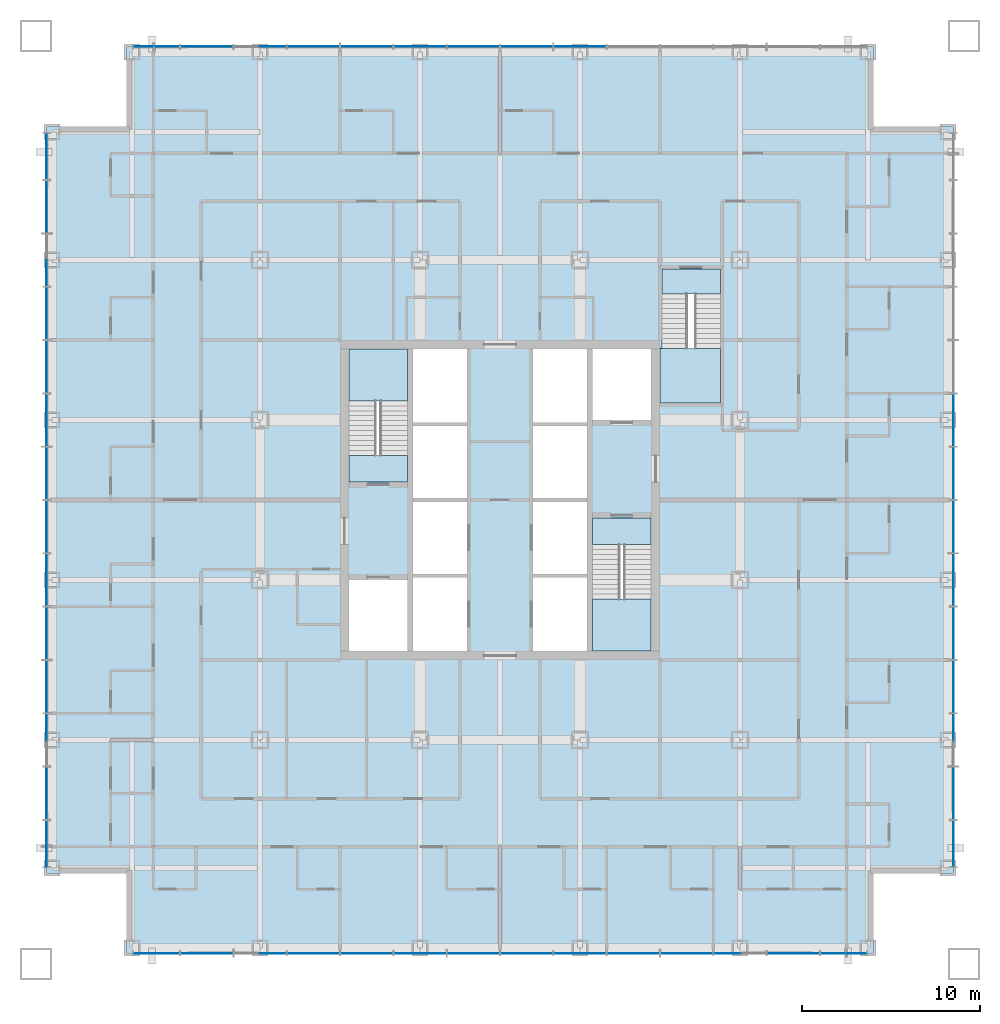
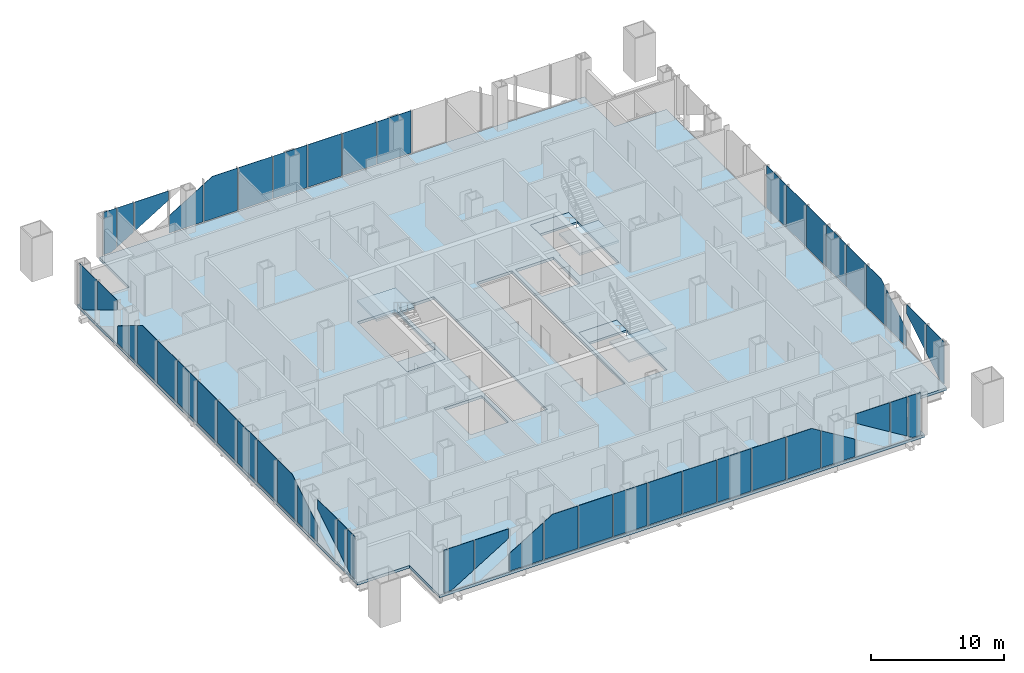
# One storey, part 6 of 13: 49 plates, 7 slabs, 7 elements without a shape of their own.
"""IFC4 building model written with IfcOpenShell, lengths in metres."""

from ifc_helpers import new_model, si_unit, direction, frame, origin, origin_2d, place, context, subcontext, project, spatial, polyline, rectangle, outline, extrude, material, layer, layer_set, type_object, element, aggregate, save


model = new_model("IFC4")

# Units and contexts
model_context = context("Model", 3, precision=1e-05, world=origin(), true_north=direction((0.0, 1.0)))
body_context = subcontext(model_context, "Body", "Model", "MODEL_VIEW")
ifc_project = project(units=[si_unit("LENGTHUNIT", "METRE"), si_unit("AREAUNIT", "SQUARE_METRE"), si_unit("VOLUMEUNIT", "CUBIC_METRE"), si_unit("PLANEANGLEUNIT", "RADIAN"), si_unit("MASSUNIT", "GRAM", prefix="KILO")], contexts=[model_context])

# Site, building, storey
site_placement = place(None, origin())
site = spatial("IfcSite", under=ifc_project, at=site_placement, CompositionType="ELEMENT")
building_placement = place(site_placement, origin())
building = spatial("IfcBuilding", under=site, at=building_placement, Name="Malebo Sky Hospital", CompositionType="ELEMENT")
storey_placement = place(building_placement, frame((0.0, 0.0, 35.0)))
storey = spatial("IfcBuildingStorey", under=building, at=storey_placement, Name="L07", CompositionType="ELEMENT", Elevation=35.0)

# Slab
ifc_material_1 = material(Name="Concrete C40/50", Category="concrete")
ifc_layer_1 = layer(ifc_material_1, 0.25)
ifc_layer_set_1 = layer_set([ifc_layer_1], Name="COMPOSITE FLOOR SLAB 250")
slab_type_1 = type_object("IfcSlabType", Name="COMPOSITE FLOOR SLAB 250", PredefinedType="FLOOR", material=ifc_layer_set_1)
slab_1_placement = place(storey_placement, frame((0.0, 0.0, -0.25)))
element("IfcSlab", 1, at=slab_1_placement, inside=storey, type_object=slab_type_1, Name="Floor slab L07", PredefinedType="FLOOR", context=body_context, shape_type="SweptSolid", body=[
    extrude(outline(polyline([(39.0, 87.5), (39.0, 83.0), (34.5, 83.0), (34.5, 41.0), (39.0, 41.0), (39.0, 36.5), (81.0, 36.5), (81.0, 41.0), (85.5, 41.0), (85.5, 83.0), (81.0, 83.0), (81.0, 87.5), (39.0, 87.5)]), holes=[polyline([(55.10009765625, 70.5), (58.14990234375, 70.5), (58.14990234375, 53.5), (55.10009765625, 53.5), (55.10009765625, 70.5)]), polyline([(64.89990234375, 70.5), (64.89990234375, 53.5), (61.85009765625, 53.5), (61.85009765625, 70.5), (64.89990234375, 70.5)]), polyline([(54.800048828125, 63.0), (51.5, 63.0), (51.5, 70.5), (54.800048828125, 70.5), (54.800048828125, 63.0)]), polyline([(51.5, 53.5), (51.5, 57.5), (54.800048828125, 57.5), (54.800048828125, 53.5), (51.5, 53.5)]), polyline([(65.199951171875, 61.0), (68.5, 61.0), (68.5, 53.5), (65.199951171875, 53.5), (65.199951171875, 61.0)]), polyline([(68.5, 70.5), (68.5, 66.5), (65.199951171875, 66.5), (65.199951171875, 70.5), (68.5, 70.5)]), polyline([(69.0, 67.449951171875), (69.0, 70.52001953125), (69.10009765625, 70.52001953125), (69.10009765625, 75.0), (72.39990234375, 75.0), (72.39990234375, 67.449951171875), (69.10009765625, 67.449951171875), (69.0, 67.449951171875)])]), origin(), (0.0, 0.0, 1.0), 0.25),
])

# Stair, slabs
stair_type_1 = type_object("IfcStairType", Name="HALF-TURN STAIR 1500 R167", PredefinedType="HALF_TURN_STAIR", material=ifc_material_1)
stair_1_placement = place(storey_placement, origin())
stair_1 = element("IfcStair", 2, at=stair_1_placement, inside=storey, type_object=stair_type_1, Name="Stair S1 L07 type ST1", PredefinedType="HALF_TURN_STAIR")
ifc_layer_2 = layer(ifc_material_1, 0.199951171875)
ifc_layer_set_2 = layer_set([ifc_layer_2], Name="STAIR LANDING 200")
slab_type_2 = type_object("IfcSlabType", Name="STAIR LANDING 200", PredefinedType="LANDING", material=ifc_layer_set_2)
slab_2_placement = place(storey_placement, frame((0.0, 0.0, -0.199951171875)))
slab_2 = element("IfcSlab", 3, at=slab_2_placement, type_object=slab_type_2, Name="S1 landing 1", PredefinedType="LANDING", context=body_context, shape_type="SweptSolid", body=[
    extrude(outline(polyline([(51.5, 63.0), (54.800048828125, 63.0), (54.800048828125, 64.5), (51.5, 64.5), (51.5, 63.0)])), origin(), (0.0, 0.0, 1.0), 0.199951171875),
])
slab_3_placement = place(storey_placement, frame((0.0, 0.0, 1.800048828125)))
slab_3 = element("IfcSlab", 4, at=slab_3_placement, type_object=slab_type_2, Name="S1 landing 2", PredefinedType="LANDING", context=body_context, shape_type="SweptSolid", body=[
    extrude(outline(polyline([(51.5, 67.580078125), (54.800048828125, 67.580078125), (54.800048828125, 70.5), (51.5, 70.5), (51.5, 67.580078125)])), origin(), (0.0, 0.0, 1.0), 0.199951171875),
])
aggregate(stair_1, [slab_2, slab_3])

stair_2_placement = place(storey_placement, origin())
stair_2 = element("IfcStair", 5, at=stair_2_placement, inside=storey, type_object=stair_type_1, Name="Stair S2 L07 type ST1", PredefinedType="HALF_TURN_STAIR")
slab_4_placement = place(storey_placement, frame((0.0, 0.0, -0.199951171875)))
slab_4 = element("IfcSlab", 6, at=slab_4_placement, type_object=slab_type_2, Name="S2 landing 1", PredefinedType="LANDING", context=body_context, shape_type="SweptSolid", body=[
    extrude(outline(polyline([(65.199951171875, 59.5), (68.5, 59.5), (68.5, 61.0), (65.199951171875, 61.0), (65.199951171875, 59.5)])), origin(), (0.0, 0.0, 1.0), 0.199951171875),
])
slab_5_placement = place(storey_placement, frame((0.0, 0.0, 1.800048828125)))
slab_5 = element("IfcSlab", 7, at=slab_5_placement, type_object=slab_type_2, Name="S2 landing 2", PredefinedType="LANDING", context=body_context, shape_type="SweptSolid", body=[
    extrude(outline(polyline([(65.199951171875, 53.5), (68.5, 53.5), (68.5, 56.419921875), (65.199951171875, 56.419921875), (65.199951171875, 53.5)])), origin(), (0.0, 0.0, 1.0), 0.199951171875),
])
aggregate(stair_2, [slab_4, slab_5])

stair_type_2 = type_object("IfcStairType", Name="HALF-TURN STAIR 1400 R167", PredefinedType="HALF_TURN_STAIR", material=ifc_material_1)
stair_3_placement = place(storey_placement, origin())
stair_3 = element("IfcStair", 8, at=stair_3_placement, inside=storey, type_object=stair_type_2, Name="Stair S3 L07 type ST1B", PredefinedType="HALF_TURN_STAIR")
slab_6_placement = place(storey_placement, frame((0.0, 0.0, -0.199951171875)))
slab_6 = element("IfcSlab", 9, at=slab_6_placement, type_object=slab_type_2, Name="S3 landing 1", PredefinedType="LANDING", context=body_context, shape_type="SweptSolid", body=[
    extrude(outline(polyline([(69.10009765625, 73.60009765625), (72.39990234375, 73.60009765625), (72.39990234375, 75.0), (69.10009765625, 75.0), (69.10009765625, 73.60009765625)])), origin(), (0.0, 0.0, 1.0), 0.199951171875),
])
slab_7_placement = place(storey_placement, frame((0.0, 0.0, 1.800048828125)))
slab_7 = element("IfcSlab", 10, at=slab_7_placement, type_object=slab_type_2, Name="S3 landing 2", PredefinedType="LANDING", context=body_context, shape_type="SweptSolid", body=[
    extrude(outline(polyline([(69.0, 67.449951171875), (72.39990234375, 67.449951171875), (72.39990234375, 70.52001953125), (69.0, 70.52001953125), (69.0, 67.449951171875)])), origin(), (0.0, 0.0, 1.0), 0.199951171875),
])
aggregate(stair_3, [slab_6, slab_7])

# Curtain wall, plates
ifc_material_2 = material(Name="Anodised aluminium, natural silver", Category="aluminium")
ifc_layer_3 = layer(ifc_material_2, 0.25)
ifc_layer_set_3 = layer_set([ifc_layer_3], Name="WARD CURTAIN WALL NORTH AND SOUTH")
curtain_wall_type_1 = type_object("IfcCurtainWallType", Name="WARD CURTAIN WALL NORTH AND SOUTH", PredefinedType="NOTDEFINED", material=ifc_layer_set_3)
curtain_wall_1_placement = place(storey_placement, origin())
curtain_wall_1 = element("IfcCurtainWall", 11, at=curtain_wall_1_placement, inside=storey, type_object=curtain_wall_type_1, Name="NS curtain wall N", PredefinedType="NOTDEFINED")
ifc_material_3 = material(Name="Clear low-iron double glazing", Category="glass")
ifc_layer_4 = layer(ifc_material_3, 0.031982421875)
ifc_layer_set_4 = layer_set([ifc_layer_4], Name="VISION PANEL CLEAR 32")
plate_type = type_object("IfcPlateType", Name="VISION PANEL CLEAR 32", PredefinedType="CURTAIN_PANEL", material=ifc_layer_set_4)
plate_1_placement = place(storey_placement, frame((39.918701171875, 87.5, 0.10009765625), z_axis=(0.0, 0.0, 1.0), x_axis=(1.0, 0.0, 0.0)))
plate_1 = element("IfcPlate", 12, at=plate_1_placement, type_object=plate_type, Name="Panel 1", PredefinedType="CURTAIN_PANEL", context=body_context, shape_type="SweptSolid", body=[
    extrude(outline(polyline([(-0.543701171875, 0.0), (0.124755859375, 0.0), (0.543701171875, 0.2568359375), (0.543701171875, 3.889892578125), (-0.543701171875, 3.889892578125), (-0.543701171875, 0.0)])), frame((0.0, 0.01611328125, 0.0), z_axis=(0.0, -1.0, 0.0), x_axis=(1.0, 0.0, 0.0)), (0.0, 0.0, 1.0), 0.031982421875),
])
plate_2_placement = place(storey_placement, frame((41.25, 87.5, 0.40283203125), z_axis=(0.0, 0.0, 1.0), x_axis=(1.0, 0.0, 0.0)))
plate_2 = element("IfcPlate", 13, at=plate_2_placement, type_object=plate_type, Name="Panel 2", PredefinedType="CURTAIN_PANEL", context=body_context, shape_type="SweptSolid", body=[
    extrude(outline(polyline([(-0.71240234375, 0.0), (0.71240234375, 0.87353515625), (0.71240234375, 3.587158203125), (-0.71240234375, 3.587158203125), (-0.71240234375, 0.0)])), frame((0.0, 0.01611328125, 0.0), z_axis=(0.0, -1.0, 0.0), x_axis=(1.0, 0.0, 0.0)), (0.0, 0.0, 1.0), 0.031982421875),
])
plate_3_placement = place(storey_placement, frame((43.5, 87.5, 1.322265625), z_axis=(0.0, 0.0, 1.0), x_axis=(1.0, 0.0, 0.0)))
plate_3 = element("IfcPlate", 14, at=plate_3_placement, type_object=plate_type, Name="Panel 3", PredefinedType="CURTAIN_PANEL", context=body_context, shape_type="SweptSolid", body=[
    extrude(outline(polyline([(-1.46240234375, 0.0), (1.46240234375, 1.793212890625), (1.46240234375, 2.667724609375), (-1.46240234375, 2.667724609375), (-1.46240234375, 0.0)])), frame((0.0, 0.01611328125, 0.0), z_axis=(0.0, -1.0, 0.0), x_axis=(1.0, 0.0, 0.0)), (0.0, 0.0, 1.0), 0.031982421875),
])
plate_4_placement = place(storey_placement, frame((46.5, 87.5, 0.099853515625), z_axis=(0.0, 0.0, 1.0), x_axis=(1.0, 0.0, 0.0)))
plate_4 = element("IfcPlate", 15, at=plate_4_placement, type_object=plate_type, Name="Panel 4", PredefinedType="CURTAIN_PANEL", context=body_context, shape_type="SweptSolid", body=[
    extrude(outline(polyline([(-1.46240234375, 0.0), (1.46240234375, 0.0), (1.46240234375, 3.38720703125), (-1.46240234375, 1.593994140625), (-1.46240234375, 0.0)])), frame((0.0, 0.01611328125, 0.0), z_axis=(0.0, -1.0, 0.0), x_axis=(1.0, 0.0, 0.0)), (0.0, 0.0, 1.0), 0.031982421875),
])
plate_5_placement = place(storey_placement, frame((49.5, 87.5, 0.10009765625), z_axis=(0.0, 0.0, 1.0), x_axis=(1.0, 0.0, 0.0)))
plate_5 = element("IfcPlate", 16, at=plate_5_placement, type_object=plate_type, Name="Panel 5", PredefinedType="CURTAIN_PANEL", context=body_context, shape_type="SweptSolid", body=[
    extrude(outline(polyline([(-1.46240234375, 0.0), (1.46240234375, 0.0), (1.46240234375, 3.889892578125), (-0.71728515625, 3.889892578125), (-1.46240234375, 3.43310546875), (-1.46240234375, 0.0)])), frame((0.0, 0.01611328125, 0.0), z_axis=(0.0, -1.0, 0.0), x_axis=(1.0, 0.0, 0.0)), (0.0, 0.0, 1.0), 0.031982421875),
])
plate_6_placement = place(storey_placement, frame((52.5, 87.5, 0.10009765625), z_axis=(0.0, 0.0, 1.0), x_axis=(1.0, 0.0, 0.0)))
plate_6 = element("IfcPlate", 17, at=plate_6_placement, type_object=plate_type, Name="Panel 6", PredefinedType="CURTAIN_PANEL", context=body_context, shape_type="SweptSolid", body=[
    extrude(rectangle(XDim=2.925048828125, YDim=0.031982421875, at=origin_2d()), origin(), (0.0, 0.0, 1.0), 3.889892578125),
])
plate_7_placement = place(storey_placement, frame((55.5, 87.5, 0.10009765625), z_axis=(0.0, 0.0, 1.0), x_axis=(1.0, 0.0, 0.0)))
plate_7 = element("IfcPlate", 18, at=plate_7_placement, type_object=plate_type, Name="Panel 7", PredefinedType="CURTAIN_PANEL", context=body_context, shape_type="SweptSolid", body=[
    extrude(rectangle(XDim=2.925048828125, YDim=0.031982421875, at=origin_2d()), origin(), (0.0, 0.0, 1.0), 3.889892578125),
])
plate_8_placement = place(storey_placement, frame((58.5, 87.5, 0.10009765625), z_axis=(0.0, 0.0, 1.0), x_axis=(1.0, 0.0, 0.0)))
plate_8 = element("IfcPlate", 19, at=plate_8_placement, type_object=plate_type, Name="Panel 8", PredefinedType="CURTAIN_PANEL", context=body_context, shape_type="SweptSolid", body=[
    extrude(rectangle(XDim=2.925048828125, YDim=0.031982421875, at=origin_2d()), origin(), (0.0, 0.0, 1.0), 3.889892578125),
])
plate_9_placement = place(storey_placement, frame((61.5, 87.5, 0.10009765625), z_axis=(0.0, 0.0, 1.0), x_axis=(1.0, 0.0, 0.0)))
plate_9 = element("IfcPlate", 20, at=plate_9_placement, type_object=plate_type, Name="Panel 9", PredefinedType="CURTAIN_PANEL", context=body_context, shape_type="SweptSolid", body=[
    extrude(rectangle(XDim=2.925048828125, YDim=0.031982421875, at=origin_2d()), origin(), (0.0, 0.0, 1.0), 3.889892578125),
])
plate_10_placement = place(storey_placement, frame((64.5, 87.5, 0.10009765625), z_axis=(0.0, 0.0, 1.0), x_axis=(1.0, 0.0, 0.0)))
plate_10 = element("IfcPlate", 21, at=plate_10_placement, type_object=plate_type, Name="Panel 10", PredefinedType="CURTAIN_PANEL", context=body_context, shape_type="SweptSolid", body=[
    extrude(rectangle(XDim=2.925048828125, YDim=0.031982421875, at=origin_2d()), origin(), (0.0, 0.0, 1.0), 3.889892578125),
])
aggregate(curtain_wall_1, [plate_1, plate_2, plate_3, plate_4, plate_5, plate_6, plate_7, plate_8, plate_9, plate_10])

ifc_layer_5 = layer(ifc_material_2, 0.25)
ifc_layer_set_5 = layer_set([ifc_layer_5], Name="WARD CURTAIN WALL EAST AND WEST")
curtain_wall_type_2 = type_object("IfcCurtainWallType", Name="WARD CURTAIN WALL EAST AND WEST", PredefinedType="NOTDEFINED", material=ifc_layer_set_5)
curtain_wall_2_placement = place(storey_placement, origin())
curtain_wall_2 = element("IfcCurtainWall", 22, at=curtain_wall_2_placement, inside=storey, type_object=curtain_wall_type_2, Name="EW curtain wall W", PredefinedType="NOTDEFINED")
plate_11_placement = place(storey_placement, frame((34.5, 41.918701171875, 0.10009765625), z_axis=(0.0, 0.0, 1.0), x_axis=(0.0, 1.0, 0.0)))
plate_11 = element("IfcPlate", 23, at=plate_11_placement, type_object=plate_type, Name="Panel 1", PredefinedType="CURTAIN_PANEL", context=body_context, shape_type="SweptSolid", body=[
    extrude(outline(polyline([(-0.543701171875, 0.0), (0.124755859375, 0.0), (0.543701171875, 0.2568359375), (0.543701171875, 3.889892578125), (-0.543701171875, 3.889892578125), (-0.543701171875, 0.0)])), frame((0.0, 0.01611328125, 0.0), z_axis=(0.0, -1.0, 0.0), x_axis=(1.0, 0.0, 0.0)), (0.0, 0.0, 1.0), 0.031982421875),
])
plate_12_placement = place(storey_placement, frame((34.5, 43.25, 0.40283203125), z_axis=(0.0, 0.0, 1.0), x_axis=(0.0, 1.0, 0.0)))
plate_12 = element("IfcPlate", 24, at=plate_12_placement, type_object=plate_type, Name="Panel 2", PredefinedType="CURTAIN_PANEL", context=body_context, shape_type="SweptSolid", body=[
    extrude(outline(polyline([(-0.71240234375, 0.0), (0.71240234375, 0.87353515625), (0.71240234375, 3.587158203125), (-0.71240234375, 3.587158203125), (-0.71240234375, 0.0)])), frame((0.0, 0.01611328125, 0.0), z_axis=(0.0, -1.0, 0.0), x_axis=(1.0, 0.0, 0.0)), (0.0, 0.0, 1.0), 0.031982421875),
])
plate_13_placement = place(storey_placement, frame((34.5, 45.5, 1.322265625), z_axis=(0.0, 0.0, 1.0), x_axis=(0.0, 1.0, 0.0)))
plate_13 = element("IfcPlate", 25, at=plate_13_placement, type_object=plate_type, Name="Panel 3", PredefinedType="CURTAIN_PANEL", context=body_context, shape_type="SweptSolid", body=[
    extrude(outline(polyline([(-1.46240234375, 0.0), (1.46240234375, 1.793212890625), (1.46240234375, 2.667724609375), (-1.46240234375, 2.667724609375), (-1.46240234375, 0.0)])), frame((0.0, 0.01611328125, 0.0), z_axis=(0.0, -1.0, 0.0), x_axis=(1.0, 0.0, 0.0)), (0.0, 0.0, 1.0), 0.031982421875),
])
plate_14_placement = place(storey_placement, frame((34.5, 48.5, 0.099853515625), z_axis=(0.0, 0.0, 1.0), x_axis=(0.0, 1.0, 0.0)))
plate_14 = element("IfcPlate", 26, at=plate_14_placement, type_object=plate_type, Name="Panel 4", PredefinedType="CURTAIN_PANEL", context=body_context, shape_type="SweptSolid", body=[
    extrude(outline(polyline([(-1.46240234375, 0.0), (1.46240234375, 0.0), (1.46240234375, 3.38720703125), (-1.46240234375, 1.593994140625), (-1.46240234375, 0.0)])), frame((0.0, 0.01611328125, 0.0), z_axis=(0.0, -1.0, 0.0), x_axis=(1.0, 0.0, 0.0)), (0.0, 0.0, 1.0), 0.031982421875),
])
plate_15_placement = place(storey_placement, frame((34.5, 51.5, 0.10009765625), z_axis=(0.0, 0.0, 1.0), x_axis=(0.0, 1.0, 0.0)))
plate_15 = element("IfcPlate", 27, at=plate_15_placement, type_object=plate_type, Name="Panel 5", PredefinedType="CURTAIN_PANEL", context=body_context, shape_type="SweptSolid", body=[
    extrude(outline(polyline([(-1.46240234375, 0.0), (1.46240234375, 0.0), (1.46240234375, 3.889892578125), (-0.71728515625, 3.889892578125), (-1.46240234375, 3.43310546875), (-1.46240234375, 0.0)])), frame((0.0, 0.01611328125, 0.0), z_axis=(0.0, -1.0, 0.0), x_axis=(1.0, 0.0, 0.0)), (0.0, 0.0, 1.0), 0.031982421875),
])
plate_16_placement = place(storey_placement, frame((34.5, 54.5, 0.10009765625), z_axis=(0.0, 0.0, 1.0), x_axis=(0.0, 1.0, 0.0)))
plate_16 = element("IfcPlate", 28, at=plate_16_placement, type_object=plate_type, Name="Panel 6", PredefinedType="CURTAIN_PANEL", context=body_context, shape_type="SweptSolid", body=[
    extrude(rectangle(XDim=2.925048828125, YDim=0.031982421875, at=origin_2d()), origin(), (0.0, 0.0, 1.0), 3.889892578125),
])
plate_17_placement = place(storey_placement, frame((34.5, 57.5, 0.10009765625), z_axis=(0.0, 0.0, 1.0), x_axis=(0.0, 1.0, 0.0)))
plate_17 = element("IfcPlate", 29, at=plate_17_placement, type_object=plate_type, Name="Panel 7", PredefinedType="CURTAIN_PANEL", context=body_context, shape_type="SweptSolid", body=[
    extrude(rectangle(XDim=2.925048828125, YDim=0.031982421875, at=origin_2d()), origin(), (0.0, 0.0, 1.0), 3.889892578125),
])
plate_18_placement = place(storey_placement, frame((34.5, 60.5, 0.10009765625), z_axis=(0.0, 0.0, 1.0), x_axis=(0.0, 1.0, 0.0)))
plate_18 = element("IfcPlate", 30, at=plate_18_placement, type_object=plate_type, Name="Panel 8", PredefinedType="CURTAIN_PANEL", context=body_context, shape_type="SweptSolid", body=[
    extrude(rectangle(XDim=2.925048828125, YDim=0.031982421875, at=origin_2d()), origin(), (0.0, 0.0, 1.0), 3.889892578125),
])
plate_19_placement = place(storey_placement, frame((34.5, 63.5, 0.10009765625), z_axis=(0.0, 0.0, 1.0), x_axis=(0.0, 1.0, 0.0)))
plate_19 = element("IfcPlate", 31, at=plate_19_placement, type_object=plate_type, Name="Panel 9", PredefinedType="CURTAIN_PANEL", context=body_context, shape_type="SweptSolid", body=[
    extrude(rectangle(XDim=2.925048828125, YDim=0.031982421875, at=origin_2d()), origin(), (0.0, 0.0, 1.0), 3.889892578125),
])
plate_20_placement = place(storey_placement, frame((34.5, 66.5, 0.10009765625), z_axis=(0.0, 0.0, 1.0), x_axis=(0.0, 1.0, 0.0)))
plate_20 = element("IfcPlate", 32, at=plate_20_placement, type_object=plate_type, Name="Panel 10", PredefinedType="CURTAIN_PANEL", context=body_context, shape_type="SweptSolid", body=[
    extrude(rectangle(XDim=2.925048828125, YDim=0.031982421875, at=origin_2d()), origin(), (0.0, 0.0, 1.0), 3.889892578125),
])
plate_21_placement = place(storey_placement, frame((34.5, 69.5, 0.10009765625), z_axis=(0.0, 0.0, 1.0), x_axis=(0.0, 1.0, 0.0)))
plate_21 = element("IfcPlate", 33, at=plate_21_placement, type_object=plate_type, Name="Panel 11", PredefinedType="CURTAIN_PANEL", context=body_context, shape_type="SweptSolid", body=[
    extrude(rectangle(XDim=2.925048828125, YDim=0.031982421875, at=origin_2d()), origin(), (0.0, 0.0, 1.0), 3.889892578125),
])
plate_22_placement = place(storey_placement, frame((34.5, 72.5, 0.10009765625), z_axis=(0.0, 0.0, 1.0), x_axis=(0.0, 1.0, 0.0)))
plate_22 = element("IfcPlate", 34, at=plate_22_placement, type_object=plate_type, Name="Panel 12", PredefinedType="CURTAIN_PANEL", context=body_context, shape_type="SweptSolid", body=[
    extrude(outline(polyline([(-1.46240234375, 0.0), (1.46240234375, 0.0), (1.46240234375, 3.43310546875), (0.71728515625, 3.889892578125), (-1.46240234375, 3.889892578125), (-1.46240234375, 0.0)])), frame((0.0, 0.01611328125, 0.0), z_axis=(0.0, -1.0, 0.0), x_axis=(1.0, 0.0, 0.0)), (0.0, 0.0, 1.0), 0.031982421875),
])
plate_23_placement = place(storey_placement, frame((34.5, 75.5, 0.099853515625), z_axis=(0.0, 0.0, 1.0), x_axis=(0.0, 1.0, 0.0)))
plate_23 = element("IfcPlate", 35, at=plate_23_placement, type_object=plate_type, Name="Panel 13", PredefinedType="CURTAIN_PANEL", context=body_context, shape_type="SweptSolid", body=[
    extrude(outline(polyline([(-1.46240234375, 0.0), (1.46240234375, 0.0), (1.46240234375, 1.593994140625), (-1.46240234375, 3.38720703125), (-1.46240234375, 0.0)])), frame((0.0, 0.01611328125, 0.0), z_axis=(0.0, -1.0, 0.0), x_axis=(1.0, 0.0, 0.0)), (0.0, 0.0, 1.0), 0.031982421875),
])
plate_24_placement = place(storey_placement, frame((34.5, 78.5, 1.322265625), z_axis=(0.0, 0.0, 1.0), x_axis=(0.0, 1.0, 0.0)))
plate_24 = element("IfcPlate", 36, at=plate_24_placement, type_object=plate_type, Name="Panel 14", PredefinedType="CURTAIN_PANEL", context=body_context, shape_type="SweptSolid", body=[
    extrude(outline(polyline([(1.46240234375, 0.0), (1.46240234375, 2.667724609375), (-1.46240234375, 2.667724609375), (-1.46240234375, 1.793212890625), (1.46240234375, 0.0)])), frame((0.0, 0.01611328125, 0.0), z_axis=(0.0, -1.0, 0.0), x_axis=(1.0, 0.0, 0.0)), (0.0, 0.0, 1.0), 0.031982421875),
])
plate_25_placement = place(storey_placement, frame((34.5, 81.331298828125, 0.10009765625), z_axis=(0.0, 0.0, 1.0), x_axis=(0.0, 1.0, 0.0)))
plate_25 = element("IfcPlate", 37, at=plate_25_placement, type_object=plate_type, Name="Panel 15", PredefinedType="CURTAIN_PANEL", context=body_context, shape_type="SweptSolid", body=[
    extrude(outline(polyline([(0.625244140625, 0.0), (1.293701171875, 0.0), (1.293701171875, 3.889892578125), (-1.293701171875, 3.889892578125), (-1.293701171875, 1.17626953125), (0.625244140625, 0.0)])), frame((0.0, 0.01611328125, 0.0), z_axis=(0.0, -1.0, 0.0), x_axis=(1.0, 0.0, 0.0)), (0.0, 0.0, 1.0), 0.031982421875),
])
aggregate(curtain_wall_2, [plate_11, plate_12, plate_13, plate_14, plate_15, plate_16, plate_17, plate_18, plate_19, plate_20, plate_21, plate_22, plate_23, plate_24, plate_25])

curtain_wall_3_placement = place(storey_placement, origin())
curtain_wall_3 = element("IfcCurtainWall", 38, at=curtain_wall_3_placement, inside=storey, type_object=curtain_wall_type_1, Name="NS curtain wall S", PredefinedType="NOTDEFINED")
plate_26_placement = place(storey_placement, frame((80.081298828125, 36.5, 0.10009765625), z_axis=(0.0, 0.0, 1.0), x_axis=(-1.0, 0.0, 0.0)))
plate_26 = element("IfcPlate", 39, at=plate_26_placement, type_object=plate_type, Name="Panel 1", PredefinedType="CURTAIN_PANEL", context=body_context, shape_type="SweptSolid", body=[
    extrude(outline(polyline([(-0.543701171875, 0.0), (0.124755859375, 0.0), (0.543701171875, 0.2568359375), (0.543701171875, 3.889892578125), (-0.543701171875, 3.889892578125), (-0.543701171875, 0.0)])), frame((0.0, 0.01611328125, 0.0), z_axis=(0.0, -1.0, 0.0), x_axis=(1.0, 0.0, 0.0)), (0.0, 0.0, 1.0), 0.031982421875),
])
plate_27_placement = place(storey_placement, frame((78.75, 36.5, 0.40283203125), z_axis=(0.0, 0.0, 1.0), x_axis=(-1.0, 0.0, 0.0)))
plate_27 = element("IfcPlate", 40, at=plate_27_placement, type_object=plate_type, Name="Panel 2", PredefinedType="CURTAIN_PANEL", context=body_context, shape_type="SweptSolid", body=[
    extrude(outline(polyline([(-0.71240234375, 0.0), (0.71240234375, 0.87353515625), (0.71240234375, 3.587158203125), (-0.71240234375, 3.587158203125), (-0.71240234375, 0.0)])), frame((0.0, 0.01611328125, 0.0), z_axis=(0.0, -1.0, 0.0), x_axis=(1.0, 0.0, 0.0)), (0.0, 0.0, 1.0), 0.031982421875),
])
plate_28_placement = place(storey_placement, frame((76.5, 36.5, 1.322265625), z_axis=(0.0, 0.0, 1.0), x_axis=(-1.0, 0.0, 0.0)))
plate_28 = element("IfcPlate", 41, at=plate_28_placement, type_object=plate_type, Name="Panel 3", PredefinedType="CURTAIN_PANEL", context=body_context, shape_type="SweptSolid", body=[
    extrude(outline(polyline([(-1.46240234375, 0.0), (1.46240234375, 1.793212890625), (1.46240234375, 2.667724609375), (-1.46240234375, 2.667724609375), (-1.46240234375, 0.0)])), frame((0.0, 0.01611328125, 0.0), z_axis=(0.0, -1.0, 0.0), x_axis=(1.0, 0.0, 0.0)), (0.0, 0.0, 1.0), 0.031982421875),
])
plate_29_placement = place(storey_placement, frame((73.5, 36.5, 0.099853515625), z_axis=(0.0, 0.0, 1.0), x_axis=(-1.0, 0.0, 0.0)))
plate_29 = element("IfcPlate", 42, at=plate_29_placement, type_object=plate_type, Name="Panel 4", PredefinedType="CURTAIN_PANEL", context=body_context, shape_type="SweptSolid", body=[
    extrude(outline(polyline([(-1.46240234375, 0.0), (1.46240234375, 0.0), (1.46240234375, 3.38720703125), (-1.46240234375, 1.593994140625), (-1.46240234375, 0.0)])), frame((0.0, 0.01611328125, 0.0), z_axis=(0.0, -1.0, 0.0), x_axis=(1.0, 0.0, 0.0)), (0.0, 0.0, 1.0), 0.031982421875),
])
plate_30_placement = place(storey_placement, frame((70.5, 36.5, 0.10009765625), z_axis=(0.0, 0.0, 1.0), x_axis=(-1.0, 0.0, 0.0)))
plate_30 = element("IfcPlate", 43, at=plate_30_placement, type_object=plate_type, Name="Panel 5", PredefinedType="CURTAIN_PANEL", context=body_context, shape_type="SweptSolid", body=[
    extrude(outline(polyline([(-1.46240234375, 0.0), (1.46240234375, 0.0), (1.46240234375, 3.889892578125), (-0.71728515625, 3.889892578125), (-1.46240234375, 3.43310546875), (-1.46240234375, 0.0)])), frame((0.0, 0.01611328125, 0.0), z_axis=(0.0, -1.0, 0.0), x_axis=(1.0, 0.0, 0.0)), (0.0, 0.0, 1.0), 0.031982421875),
])
plate_31_placement = place(storey_placement, frame((67.5, 36.5, 0.10009765625), z_axis=(0.0, 0.0, 1.0), x_axis=(-1.0, 0.0, 0.0)))
plate_31 = element("IfcPlate", 44, at=plate_31_placement, type_object=plate_type, Name="Panel 6", PredefinedType="CURTAIN_PANEL", context=body_context, shape_type="SweptSolid", body=[
    extrude(rectangle(XDim=2.925048828125, YDim=0.031982421875, at=origin_2d()), origin(), (0.0, 0.0, 1.0), 3.889892578125),
])
plate_32_placement = place(storey_placement, frame((64.5, 36.5, 0.10009765625), z_axis=(0.0, 0.0, 1.0), x_axis=(-1.0, 0.0, 0.0)))
plate_32 = element("IfcPlate", 45, at=plate_32_placement, type_object=plate_type, Name="Panel 7", PredefinedType="CURTAIN_PANEL", context=body_context, shape_type="SweptSolid", body=[
    extrude(rectangle(XDim=2.925048828125, YDim=0.031982421875, at=origin_2d()), origin(), (0.0, 0.0, 1.0), 3.889892578125),
])
plate_33_placement = place(storey_placement, frame((61.5, 36.5, 0.10009765625), z_axis=(0.0, 0.0, 1.0), x_axis=(-1.0, 0.0, 0.0)))
plate_33 = element("IfcPlate", 46, at=plate_33_placement, type_object=plate_type, Name="Panel 8", PredefinedType="CURTAIN_PANEL", context=body_context, shape_type="SweptSolid", body=[
    extrude(rectangle(XDim=2.925048828125, YDim=0.031982421875, at=origin_2d()), origin(), (0.0, 0.0, 1.0), 3.889892578125),
])
plate_34_placement = place(storey_placement, frame((58.5, 36.5, 0.10009765625), z_axis=(0.0, 0.0, 1.0), x_axis=(-1.0, 0.0, 0.0)))
plate_34 = element("IfcPlate", 47, at=plate_34_placement, type_object=plate_type, Name="Panel 9", PredefinedType="CURTAIN_PANEL", context=body_context, shape_type="SweptSolid", body=[
    extrude(rectangle(XDim=2.925048828125, YDim=0.031982421875, at=origin_2d()), origin(), (0.0, 0.0, 1.0), 3.889892578125),
])
plate_35_placement = place(storey_placement, frame((55.5, 36.5, 0.10009765625), z_axis=(0.0, 0.0, 1.0), x_axis=(-1.0, 0.0, 0.0)))
plate_35 = element("IfcPlate", 48, at=plate_35_placement, type_object=plate_type, Name="Panel 10", PredefinedType="CURTAIN_PANEL", context=body_context, shape_type="SweptSolid", body=[
    extrude(rectangle(XDim=2.925048828125, YDim=0.031982421875, at=origin_2d()), origin(), (0.0, 0.0, 1.0), 3.889892578125),
])
plate_36_placement = place(storey_placement, frame((52.5, 36.5, 0.10009765625), z_axis=(0.0, 0.0, 1.0), x_axis=(-1.0, 0.0, 0.0)))
plate_36 = element("IfcPlate", 49, at=plate_36_placement, type_object=plate_type, Name="Panel 11", PredefinedType="CURTAIN_PANEL", context=body_context, shape_type="SweptSolid", body=[
    extrude(rectangle(XDim=2.925048828125, YDim=0.031982421875, at=origin_2d()), origin(), (0.0, 0.0, 1.0), 3.889892578125),
])
plate_37_placement = place(storey_placement, frame((49.5, 36.5, 0.10009765625), z_axis=(0.0, 0.0, 1.0), x_axis=(-1.0, 0.0, 0.0)))
plate_37 = element("IfcPlate", 50, at=plate_37_placement, type_object=plate_type, Name="Panel 12", PredefinedType="CURTAIN_PANEL", context=body_context, shape_type="SweptSolid", body=[
    extrude(outline(polyline([(-1.46240234375, 0.0), (1.46240234375, 0.0), (1.46240234375, 3.43310546875), (0.71728515625, 3.889892578125), (-1.46240234375, 3.889892578125), (-1.46240234375, 0.0)])), frame((0.0, 0.01611328125, 0.0), z_axis=(0.0, -1.0, 0.0), x_axis=(1.0, 0.0, 0.0)), (0.0, 0.0, 1.0), 0.031982421875),
])
plate_38_placement = place(storey_placement, frame((46.5, 36.5, 0.099853515625), z_axis=(0.0, 0.0, 1.0), x_axis=(-1.0, 0.0, 0.0)))
plate_38 = element("IfcPlate", 51, at=plate_38_placement, type_object=plate_type, Name="Panel 13", PredefinedType="CURTAIN_PANEL", context=body_context, shape_type="SweptSolid", body=[
    extrude(outline(polyline([(-1.46240234375, 0.0), (1.46240234375, 0.0), (1.46240234375, 1.593994140625), (-1.46240234375, 3.38720703125), (-1.46240234375, 0.0)])), frame((0.0, 0.01611328125, 0.0), z_axis=(0.0, -1.0, 0.0), x_axis=(1.0, 0.0, 0.0)), (0.0, 0.0, 1.0), 0.031982421875),
])
plate_39_placement = place(storey_placement, frame((43.5, 36.5, 1.322265625), z_axis=(0.0, 0.0, 1.0), x_axis=(-1.0, 0.0, 0.0)))
plate_39 = element("IfcPlate", 52, at=plate_39_placement, type_object=plate_type, Name="Panel 14", PredefinedType="CURTAIN_PANEL", context=body_context, shape_type="SweptSolid", body=[
    extrude(outline(polyline([(1.46240234375, 0.0), (1.46240234375, 2.667724609375), (-1.46240234375, 2.667724609375), (-1.46240234375, 1.793212890625), (1.46240234375, 0.0)])), frame((0.0, 0.01611328125, 0.0), z_axis=(0.0, -1.0, 0.0), x_axis=(1.0, 0.0, 0.0)), (0.0, 0.0, 1.0), 0.031982421875),
])
plate_40_placement = place(storey_placement, frame((40.668701171875, 36.5, 0.10009765625), z_axis=(0.0, 0.0, 1.0), x_axis=(-1.0, 0.0, 0.0)))
plate_40 = element("IfcPlate", 53, at=plate_40_placement, type_object=plate_type, Name="Panel 15", PredefinedType="CURTAIN_PANEL", context=body_context, shape_type="SweptSolid", body=[
    extrude(outline(polyline([(0.625244140625, 0.0), (1.293701171875, 0.0), (1.293701171875, 3.889892578125), (-1.293701171875, 3.889892578125), (-1.293701171875, 1.17626953125), (0.625244140625, 0.0)])), frame((0.0, 0.01611328125, 0.0), z_axis=(0.0, -1.0, 0.0), x_axis=(1.0, 0.0, 0.0)), (0.0, 0.0, 1.0), 0.031982421875),
])
aggregate(curtain_wall_3, [plate_26, plate_27, plate_28, plate_29, plate_30, plate_31, plate_32, plate_33, plate_34, plate_35, plate_36, plate_37, plate_38, plate_39, plate_40])

curtain_wall_4_placement = place(storey_placement, origin())
curtain_wall_4 = element("IfcCurtainWall", 54, at=curtain_wall_4_placement, inside=storey, type_object=curtain_wall_type_2, Name="EW curtain wall E", PredefinedType="NOTDEFINED")
plate_41_placement = place(storey_placement, frame((85.5, 66.5, 0.10009765625), z_axis=(0.0, 0.0, 1.0), x_axis=(0.0, -1.0, 0.0)))
plate_41 = element("IfcPlate", 55, at=plate_41_placement, type_object=plate_type, Name="Panel 7", PredefinedType="CURTAIN_PANEL", context=body_context, shape_type="SweptSolid", body=[
    extrude(rectangle(XDim=2.925048828125, YDim=0.031982421875, at=origin_2d()), origin(), (0.0, 0.0, 1.0), 3.889892578125),
])
plate_42_placement = place(storey_placement, frame((85.5, 63.5, 0.10009765625), z_axis=(0.0, 0.0, 1.0), x_axis=(0.0, -1.0, 0.0)))
plate_42 = element("IfcPlate", 56, at=plate_42_placement, type_object=plate_type, Name="Panel 8", PredefinedType="CURTAIN_PANEL", context=body_context, shape_type="SweptSolid", body=[
    extrude(rectangle(XDim=2.925048828125, YDim=0.031982421875, at=origin_2d()), origin(), (0.0, 0.0, 1.0), 3.889892578125),
])
plate_43_placement = place(storey_placement, frame((85.5, 60.5, 0.10009765625), z_axis=(0.0, 0.0, 1.0), x_axis=(0.0, -1.0, 0.0)))
plate_43 = element("IfcPlate", 57, at=plate_43_placement, type_object=plate_type, Name="Panel 9", PredefinedType="CURTAIN_PANEL", context=body_context, shape_type="SweptSolid", body=[
    extrude(rectangle(XDim=2.925048828125, YDim=0.031982421875, at=origin_2d()), origin(), (0.0, 0.0, 1.0), 3.889892578125),
])
plate_44_placement = place(storey_placement, frame((85.5, 57.5, 0.10009765625), z_axis=(0.0, 0.0, 1.0), x_axis=(0.0, -1.0, 0.0)))
plate_44 = element("IfcPlate", 58, at=plate_44_placement, type_object=plate_type, Name="Panel 10", PredefinedType="CURTAIN_PANEL", context=body_context, shape_type="SweptSolid", body=[
    extrude(rectangle(XDim=2.925048828125, YDim=0.031982421875, at=origin_2d()), origin(), (0.0, 0.0, 1.0), 3.889892578125),
])
plate_45_placement = place(storey_placement, frame((85.5, 54.5, 0.10009765625), z_axis=(0.0, 0.0, 1.0), x_axis=(0.0, -1.0, 0.0)))
plate_45 = element("IfcPlate", 59, at=plate_45_placement, type_object=plate_type, Name="Panel 11", PredefinedType="CURTAIN_PANEL", context=body_context, shape_type="SweptSolid", body=[
    extrude(rectangle(XDim=2.925048828125, YDim=0.031982421875, at=origin_2d()), origin(), (0.0, 0.0, 1.0), 3.889892578125),
])
plate_46_placement = place(storey_placement, frame((85.5, 51.5, 0.10009765625), z_axis=(0.0, 0.0, 1.0), x_axis=(0.0, -1.0, 0.0)))
plate_46 = element("IfcPlate", 60, at=plate_46_placement, type_object=plate_type, Name="Panel 12", PredefinedType="CURTAIN_PANEL", context=body_context, shape_type="SweptSolid", body=[
    extrude(outline(polyline([(-1.46240234375, 0.0), (1.46240234375, 0.0), (1.46240234375, 3.43310546875), (0.71728515625, 3.889892578125), (-1.46240234375, 3.889892578125), (-1.46240234375, 0.0)])), frame((0.0, 0.01611328125, 0.0), z_axis=(0.0, -1.0, 0.0), x_axis=(1.0, 0.0, 0.0)), (0.0, 0.0, 1.0), 0.031982421875),
])
plate_47_placement = place(storey_placement, frame((85.5, 48.5, 0.099853515625), z_axis=(0.0, 0.0, 1.0), x_axis=(0.0, -1.0, 0.0)))
plate_47 = element("IfcPlate", 61, at=plate_47_placement, type_object=plate_type, Name="Panel 13", PredefinedType="CURTAIN_PANEL", context=body_context, shape_type="SweptSolid", body=[
    extrude(outline(polyline([(-1.46240234375, 0.0), (1.46240234375, 0.0), (1.46240234375, 1.593994140625), (-1.46240234375, 3.38720703125), (-1.46240234375, 0.0)])), frame((0.0, 0.01611328125, 0.0), z_axis=(0.0, -1.0, 0.0), x_axis=(1.0, 0.0, 0.0)), (0.0, 0.0, 1.0), 0.031982421875),
])
plate_48_placement = place(storey_placement, frame((85.5, 45.5, 1.322265625), z_axis=(0.0, 0.0, 1.0), x_axis=(0.0, -1.0, 0.0)))
plate_48 = element("IfcPlate", 62, at=plate_48_placement, type_object=plate_type, Name="Panel 14", PredefinedType="CURTAIN_PANEL", context=body_context, shape_type="SweptSolid", body=[
    extrude(outline(polyline([(1.46240234375, 0.0), (1.46240234375, 2.667724609375), (-1.46240234375, 2.667724609375), (-1.46240234375, 1.793212890625), (1.46240234375, 0.0)])), frame((0.0, 0.01611328125, 0.0), z_axis=(0.0, -1.0, 0.0), x_axis=(1.0, 0.0, 0.0)), (0.0, 0.0, 1.0), 0.031982421875),
])
plate_49_placement = place(storey_placement, frame((85.5, 42.668701171875, 0.10009765625), z_axis=(0.0, 0.0, 1.0), x_axis=(0.0, -1.0, 0.0)))
plate_49 = element("IfcPlate", 63, at=plate_49_placement, type_object=plate_type, Name="Panel 15", PredefinedType="CURTAIN_PANEL", context=body_context, shape_type="SweptSolid", body=[
    extrude(outline(polyline([(0.625244140625, 0.0), (1.293701171875, 0.0), (1.293701171875, 3.889892578125), (-1.293701171875, 3.889892578125), (-1.293701171875, 1.17626953125), (0.625244140625, 0.0)])), frame((0.0, 0.01611328125, 0.0), z_axis=(0.0, -1.0, 0.0), x_axis=(1.0, 0.0, 0.0)), (0.0, 0.0, 1.0), 0.031982421875),
])
aggregate(curtain_wall_4, [plate_41, plate_42, plate_43, plate_44, plate_45, plate_46, plate_47, plate_48, plate_49])

save(model, "model.ifc")
